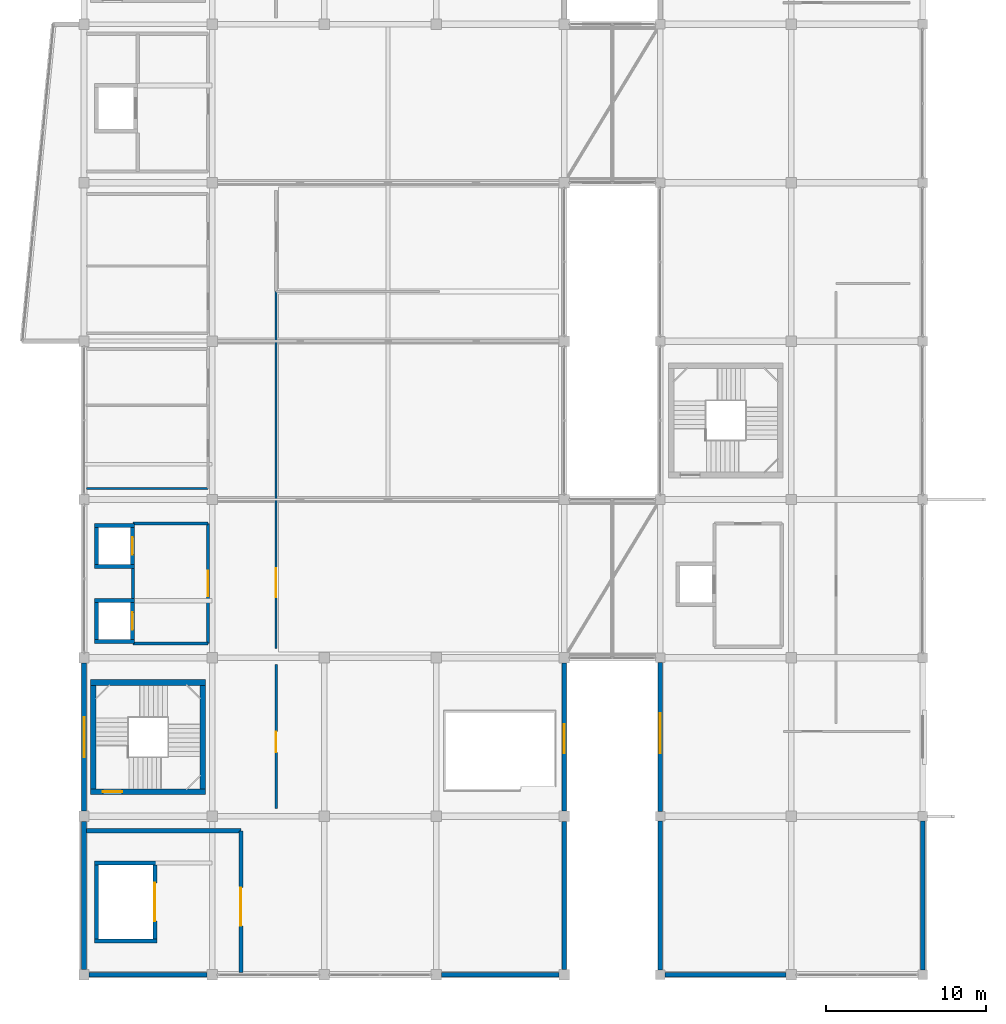
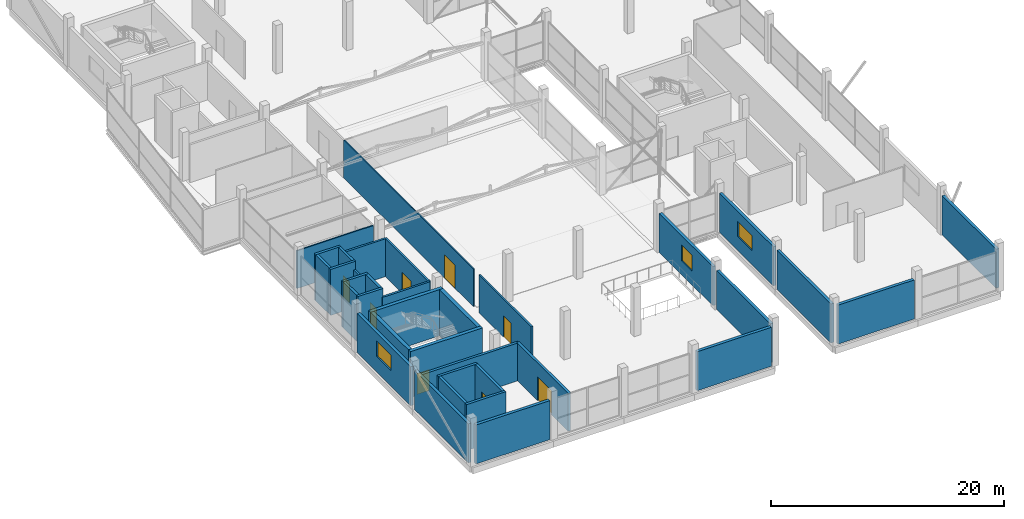
# One storey, part 47 of 58: 35 walls, 8 doors, 3 windows, 11 openings.
"""IFC4 building model written with IfcOpenShell, lengths in metres."""

from ifc_helpers import new_model, si_unit, direction, frame, frame_2d, origin, place, context, subcontext, project, spatial, rectangle, extrude, material, layer, layer_set, type_object, element, fill, save


model = new_model("IFC4")

# Units and contexts
model_context = context("Model", 3, precision=1e-05, world=origin(), true_north=direction((0.0, 1.0)))
body_context = subcontext(model_context, "Body", "Model", "MODEL_VIEW")
ifc_project = project(units=[si_unit("LENGTHUNIT", "METRE"), si_unit("AREAUNIT", "SQUARE_METRE"), si_unit("VOLUMEUNIT", "CUBIC_METRE"), si_unit("PLANEANGLEUNIT", "RADIAN"), si_unit("MASSUNIT", "GRAM", prefix="KILO")], contexts=[model_context])

# Site, building, storey
site_placement = place(None, origin())
site = spatial("IfcSite", under=ifc_project, at=site_placement, CompositionType="ELEMENT")
building_placement = place(site_placement, origin())
building = spatial("IfcBuilding", under=site, at=building_placement, Name="Sillaruma Civic Art Gallery", CompositionType="ELEMENT")
storey_placement = place(building_placement, frame((0.0, 0.0, 52.02001953125)))
storey = spatial("IfcBuildingStorey", under=building, at=storey_placement, Name="L10", CompositionType="ELEMENT", Elevation=52.02001953125)

# Wall, opening, door
ifc_material_1 = material(Name="Concrete H40 (40 MPa)", Category="concrete")
ifc_layer_1 = layer(ifc_material_1, 0.35009765625, Name="Concrete H40 (40 MPa)")
ifc_layer_set_1 = layer_set([ifc_layer_1], Name="Concrete H40 (40 MPa)")
wall_type_1 = type_object("IfcWallType", Name="WAL-CORE-350", PredefinedType="SHEAR", material=ifc_layer_set_1)
wall_1_placement = place(storey_placement, frame((62.409912109375, 31.235107421875, 0.0), z_axis=(0.0, 0.0, 1.0), x_axis=(1.0, 0.0, 0.0)))
wall_1 = element("IfcWall", 1, at=wall_1_placement, inside=storey, type_object=wall_type_1, Name="Stair Core Shear Wall W-CORE-350 (ST-03:L10:S)", PredefinedType="SHEAR", context=body_context, shape_type="SweptSolid", body=[
    extrude(rectangle(XDim=7.18017578125, YDim=0.35009765625, at=frame_2d((3.590087890625, 0.0))), origin(), (0.0, 0.0, 1.0), 4.85009765625),
])
opening_1_placement = place(wall_1_placement, frame((0.77001953125, 0.0, 0.0)))
opening_1 = element("IfcOpeningElement", 2, at=opening_1_placement, cuts=wall_1, Name="Opening D-STAIR", PredefinedType="OPENING", context=body_context, shape_type="SweptSolid", body=[
    extrude(rectangle(XDim=1.199951171875, YDim=2.199951171875, at=frame_2d((0.60009765625, 1.10009765625))), frame((0.0, 0.18505859375, 0.0), z_axis=(0.0, -1.0, 0.0), x_axis=(1.0, 0.0, 0.0)), (0.0, 0.0, 1.0), 0.3701171875),
])
ifc_material_2 = material(Name="Galvanised Steel ASTM A653 Gr.50", Category="steel")
door_type_1 = type_object("IfcDoorType", Name="DOR-STAIR-120", OperationType="NOTDEFINED", PredefinedType="DOOR", material=ifc_material_2)
door_1_placement = place(opening_1_placement, origin())
door_1 = element("IfcDoor", 3, at=door_1_placement, inside=storey, type_object=door_type_1, Name="Protected Stair Fire Door (ST-03:L10)", OperationType="SINGLE_SWING_RIGHT", OverallHeight=2.199951171875, OverallWidth=1.199951171875, PredefinedType="DOOR", context=body_context, shape_type="SweptSolid", body=[
    extrude(rectangle(XDim=1.199951171875, YDim=2.199951171875, at=frame_2d((0.60009765625, 1.10009765625))), frame((0.0, 0.02490234375, 0.0), z_axis=(0.0, -1.0, 0.0), x_axis=(1.0, 0.0, 0.0)), (0.0, 0.0, 1.0), 0.050048828125),
])
fill(opening_1, door_1)

# Walls
wall_2_placement = place(storey_placement, frame((62.409912109375, 38.06494140625, 0.0), z_axis=(0.0, 0.0, 1.0), x_axis=(1.0, 0.0, 0.0)))
element("IfcWall", 4, at=wall_2_placement, inside=storey, type_object=wall_type_1, Name="Stair Core Shear Wall W-CORE-350 (ST-03:L10:N)", PredefinedType="SHEAR", context=body_context, shape_type="SweptSolid", body=[
    extrude(rectangle(XDim=7.18017578125, YDim=0.35009765625, at=frame_2d((3.590087890625, 0.0))), origin(), (0.0, 0.0, 1.0), 4.85009765625),
])
for number, where, z_axis, x_axis, name in (
    (5, (62.5849609375, 31.409912109375, 0.0), (0.0, 0.0, 1.0), (0.0, 1.0, 0.0), "Stair Core Shear Wall W-CORE-350 (ST-03:L10:W)"),
    (6, (69.4150390625, 31.409912109375, 0.0), (0.0, 0.0, 1.0), (0.0, 1.0, 0.0), "Stair Core Shear Wall W-CORE-350 (ST-03:L10:E)"),
):
    element("IfcWall", number, at=place(storey_placement, frame(where, z_axis=z_axis, x_axis=x_axis)), inside=storey, type_object=wall_type_1, Name=name, PredefinedType="SHEAR", context=body_context, shape_type="SweptSolid", body=[
        extrude(rectangle(XDim=6.47998046875, YDim=0.35009765625, at=frame_2d((3.239990234375, 0.0))), origin(), (0.0, 0.0, 1.0), 4.85009765625),
    ])
ifc_material_3 = material(Name="Concrete H35 (35 MPa)", Category="concrete")
ifc_layer_2 = layer(ifc_material_3, 0.159912109375, Name="Concrete backup", Category="concrete")
ifc_material_4 = material(Name="Mineral Wool Thermal Insulation", Category="insulation")
ifc_layer_3 = layer(ifc_material_4, 0.090087890625, Name="Thermal insulation", Category="insulation")
ifc_material_5 = material(Name="Anodised Zinc-Aluminium Alloy", Category="aluminium")
ifc_layer_4 = layer(ifc_material_5, 0.030029296875, Name="Rainscreen finish", Category="aluminium")
ifc_layer_set_2 = layer_set([ifc_layer_2, ifc_layer_3, ifc_layer_4], Name="W-EXT-280")
wall_type_2 = type_object("IfcWallType", Name="WAL-EXT-280", PredefinedType="SOLIDWALL", material=ifc_layer_set_2)
wall_3_placement = place(storey_placement, frame((92.0, 20.125, 0.0), z_axis=(0.0, 0.0, 1.0), x_axis=(0.0, 1.0, 0.0)))
element("IfcWall", 7, at=wall_3_placement, inside=storey, type_object=wall_type_2, Name="Exterior Wall W-EXT-280 (EW-L10-WBE-1)", PredefinedType="SOLIDWALL", context=body_context, shape_type="SweptSolid", body=[
    extrude(rectangle(XDim=9.25, YDim=0.280029296875, at=frame_2d((4.625, 0.0))), origin(), (0.0, 0.0, 1.0), 4.10009765625),
])

# Wall, opening, window
wall_4_placement = place(storey_placement, frame((92.0, 30.02490234375, 0.0), z_axis=(0.0, 0.0, 1.0), x_axis=(0.0, 1.0, 0.0)))
wall_4 = element("IfcWall", 8, at=wall_4_placement, inside=storey, type_object=wall_type_2, Name="Exterior Wall W-EXT-280 (EW-L10-WBE-2)", PredefinedType="SOLIDWALL", context=body_context, shape_type="SweptSolid", body=[
    extrude(rectangle(XDim=9.25, YDim=0.280029296875, at=frame_2d((4.625, 0.0))), origin(), (0.0, 0.0, 1.0), 4.10009765625),
])
opening_2_placement = place(wall_4_placement, frame((3.625, 0.0, 1.449951171875)))
opening_2 = element("IfcOpeningElement", 9, at=opening_2_placement, cuts=wall_4, Name="Opening WN-04", PredefinedType="OPENING", context=body_context, shape_type="SweptSolid", body=[
    extrude(rectangle(XDim=1.800048828125, YDim=1.699951171875, at=frame_2d((0.89990234375, 0.85009765625))), frame((0.0, 0.14990234375, 0.0), z_axis=(0.0, -1.0, 0.0), x_axis=(1.0, 0.0, 0.0)), (0.0, 0.0, 1.0), 0.300048828125),
])
ifc_material_6 = material(Name="Thermally Broken Extruded Aluminium 6063-T6", Category="aluminium")
window_type_1 = type_object("IfcWindowType", Name="WIN-W04", PartitioningType="SINGLE_PANEL", PredefinedType="WINDOW", material=ifc_material_6)
window_1_placement = place(opening_2_placement, origin())
window_1 = element("IfcWindow", 10, at=window_1_placement, inside=storey, type_object=window_type_1, Name="Window WN-04 (EW-L10-WBE-2-1)", OverallHeight=1.699951171875, OverallWidth=1.800048828125, PartitioningType="SINGLE_PANEL", PredefinedType="WINDOW", context=body_context, shape_type="SweptSolid", body=[
    extrude(rectangle(XDim=1.800048828125, YDim=1.699951171875, at=frame_2d((0.89990234375, 0.85009765625))), frame((0.0, 0.030029296875, 0.0), z_axis=(0.0, -1.0, 0.0), x_axis=(1.0, 0.0, 0.0)), (0.0, 0.0, 1.0), 0.06005859375),
])
fill(opening_2, window_1)

# Wall
wall_5_placement = place(storey_placement, frame((98.0, 20.10009765625, 0.0), z_axis=(0.0, 0.0, 1.0), x_axis=(0.0, 1.0, 0.0)))
element("IfcWall", 11, at=wall_5_placement, inside=storey, type_object=wall_type_2, Name="Exterior Wall W-EXT-280 (EW-L10-EBW-1)", PredefinedType="SOLIDWALL", context=body_context, shape_type="SweptSolid", body=[
    extrude(rectangle(XDim=9.2998046875, YDim=0.280029296875, at=frame_2d((4.64990234375, 0.0))), origin(), (0.0, 0.0, 1.0), 4.10009765625),
])

# Wall, opening, window
wall_6_placement = place(storey_placement, frame((98.0, 30.0, 0.0), z_axis=(0.0, 0.0, 1.0), x_axis=(0.0, 1.0, 0.0)))
wall_6 = element("IfcWall", 12, at=wall_6_placement, inside=storey, type_object=wall_type_2, Name="Exterior Wall W-EXT-280 (EW-L10-EBW-2)", PredefinedType="SOLIDWALL", context=body_context, shape_type="SweptSolid", body=[
    extrude(rectangle(XDim=9.300048828125, YDim=0.280029296875, at=frame_2d((4.64990234375, 0.0))), origin(), (0.0, 0.0, 1.0), 4.10009765625),
])
opening_3_placement = place(wall_6_placement, frame((3.64990234375, 0.0, 1.449951171875)))
opening_3 = element("IfcOpeningElement", 13, at=opening_3_placement, cuts=wall_6, Name="Opening WN-11", PredefinedType="OPENING", context=body_context, shape_type="SweptSolid", body=[
    extrude(rectangle(XDim=2.5, YDim=1.60009765625, at=frame_2d((1.25, 0.800048828125))), frame((0.0, 0.14990234375, 0.0), z_axis=(0.0, -1.0, 0.0), x_axis=(1.0, 0.0, 0.0)), (0.0, 0.0, 1.0), 0.300048828125),
])
window_type_2 = type_object("IfcWindowType", Name="WIN-W11", PartitioningType="SINGLE_PANEL", PredefinedType="WINDOW", material=ifc_material_6)
window_2_placement = place(opening_3_placement, origin())
window_2 = element("IfcWindow", 14, at=window_2_placement, inside=storey, type_object=window_type_2, Name="Window WN-11 (EW-L10-EBW-2-1)", OverallHeight=1.60009765625, OverallWidth=2.5, PartitioningType="SINGLE_PANEL", PredefinedType="WINDOW", context=body_context, shape_type="SweptSolid", body=[
    extrude(rectangle(XDim=2.5, YDim=1.60009765625, at=frame_2d((1.25, 0.800048828125))), frame((0.0, 0.030029296875, 0.0), z_axis=(0.0, -1.0, 0.0), x_axis=(1.0, 0.0, 0.0)), (0.0, 0.0, 1.0), 0.06005859375),
])
fill(opening_3, window_2)

# Walls
ifc_layer_5 = layer(ifc_material_3, 0.169921875, Name="Concrete backup", Category="concrete")
ifc_layer_6 = layer(ifc_material_4, 0.090087890625, Name="Thermal insulation", Category="insulation")
ifc_layer_7 = layer(ifc_material_5, 0.030029296875, Name="Rainscreen finish", Category="aluminium")
ifc_layer_set_3 = layer_set([ifc_layer_5, ifc_layer_6, ifc_layer_7], Name="W-EXT-290")
wall_type_3 = type_object("IfcWallType", Name="WAL-EXT-290", PredefinedType="SOLIDWALL", material=ifc_layer_set_3)
wall_7_placement = place(storey_placement, frame((62.0, 20.125, 0.0), z_axis=(0.0, 0.0, 1.0), x_axis=(0.0, 1.0, 0.0)))
element("IfcWall", 15, at=wall_7_placement, inside=storey, type_object=wall_type_3, Name="Exterior Wall W-EXT-290 (EW-L10-WBW-1)", PredefinedType="SOLIDWALL", context=body_context, shape_type="SweptSolid", body=[
    extrude(rectangle(XDim=9.25, YDim=0.2900390625, at=frame_2d((4.625, 0.0))), origin(), (0.0, 0.0, 1.0), 4.10009765625),
])
wall_8_placement = place(storey_placement, frame((114.39990234375, 20.10009765625, 0.0), z_axis=(0.0, 0.0, 1.0), x_axis=(0.0, 1.0, 0.0)))
element("IfcWall", 16, at=wall_8_placement, inside=storey, type_object=wall_type_3, Name="Exterior Wall W-EXT-290 (EW-L10-EBE-1)", PredefinedType="SOLIDWALL", context=body_context, shape_type="SweptSolid", body=[
    extrude(rectangle(XDim=9.2998046875, YDim=0.2900390625, at=frame_2d((4.64990234375, 0.0))), origin(), (0.0, 0.0, 1.0), 4.10009765625),
])

# Wall, opening, window
ifc_material_7 = material(Name="Precast Concrete H35 (35 MPa)", Category="concrete")
ifc_layer_8 = layer(ifc_material_7, 0.179931640625, Name="Precast backup", Category="concrete")
ifc_layer_9 = layer(ifc_material_4, 0.090087890625, Name="Thermal insulation", Category="insulation")
ifc_material_8 = material(Name="Comanche Granitic Ashlar Stone", Category="masonry")
ifc_layer_10 = layer(ifc_material_8, 0.030029296875, Name="Rainscreen cladding", Category="masonry")
ifc_layer_set_4 = layer_set([ifc_layer_8, ifc_layer_9, ifc_layer_10], Name="W-EXT-300")
wall_type_4 = type_object("IfcWallType", Name="WAL-EXT-300", PredefinedType="SOLIDWALL", material=ifc_layer_set_4)
wall_9_placement = place(storey_placement, frame((62.0, 30.02490234375, 0.0), z_axis=(0.0, 0.0, 1.0), x_axis=(0.0, 1.0, 0.0)))
wall_9 = element("IfcWall", 17, at=wall_9_placement, inside=storey, type_object=wall_type_4, Name="Exterior Wall W-EXT-300 (EW-L10-WBW-2)", PredefinedType="SOLIDWALL", context=body_context, shape_type="SweptSolid", body=[
    extrude(rectangle(XDim=9.25, YDim=0.300048828125, at=frame_2d((4.625, 0.0))), origin(), (0.0, 0.0, 1.0), 4.10009765625),
])
opening_4_placement = place(wall_9_placement, frame((3.375, 0.0, 1.64990234375)))
opening_4 = element("IfcOpeningElement", 18, at=opening_4_placement, cuts=wall_9, Name="Opening WN-11", PredefinedType="OPENING", context=body_context, shape_type="SweptSolid", body=[
    extrude(rectangle(XDim=2.5, YDim=1.60009765625, at=frame_2d((1.25, 0.800048828125))), frame((0.0, 0.159912109375, 0.0), z_axis=(0.0, -1.0, 0.0), x_axis=(1.0, 0.0, 0.0)), (0.0, 0.0, 1.0), 0.320068359375),
])
window_3_placement = place(opening_4_placement, origin())
window_3 = element("IfcWindow", 19, at=window_3_placement, inside=storey, type_object=window_type_2, Name="Window WN-11 (EW-L10-WBW-2-1)", OverallHeight=1.60009765625, OverallWidth=2.5, PartitioningType="SINGLE_PANEL", PredefinedType="WINDOW", context=body_context, shape_type="SweptSolid", body=[
    extrude(rectangle(XDim=2.5, YDim=1.60009765625, at=frame_2d((1.25, 0.800048828125))), frame((0.0, 0.030029296875, 0.0), z_axis=(0.0, -1.0, 0.0), x_axis=(1.0, 0.0, 0.0)), (0.0, 0.0, 1.0), 0.06005859375),
])
fill(opening_4, window_3)

# Walls
for number, where, z_axis, x_axis, name in (
    (20, (62.324951171875, 19.800048828125, 0.0), (0.0, 0.0, 1.0), (1.0, 0.0, 0.0), "Exterior Wall W-EXT-300 (EW-L10-WBS-1)"),
    (21, (84.324951171875, 19.800048828125, 0.0), (0.0, 0.0, 1.0), (1.0, 0.0, 0.0), "Exterior Wall W-EXT-300 (EW-L10-WBS-4)"),
):
    element("IfcWall", number, at=place(storey_placement, frame(where, z_axis=z_axis, x_axis=x_axis)), inside=storey, type_object=wall_type_4, Name=name, PredefinedType="SOLIDWALL", context=body_context, shape_type="SweptSolid", body=[
        extrude(rectangle(XDim=7.35009765625, YDim=0.300048828125, at=frame_2d((3.675048828125, 0.0))), origin(), (0.0, 0.0, 1.0), 4.10009765625),
    ])
wall_10_placement = place(storey_placement, frame((98.300048828125, 19.800048828125, 0.0), z_axis=(0.0, 0.0, 1.0), x_axis=(1.0, 0.0, 0.0)))
element("IfcWall", 22, at=wall_10_placement, inside=storey, type_object=wall_type_4, Name="Exterior Wall W-EXT-300 (EW-L10-EBS-1)", PredefinedType="SOLIDWALL", context=body_context, shape_type="SweptSolid", body=[
    extrude(rectangle(XDim=7.574951171875, YDim=0.300048828125, at=frame_2d((3.78759765625, 0.0))), origin(), (0.0, 0.0, 1.0), 4.10009765625),
])
ifc_material_9 = material(Name="Concrete Masonry Unit Grade M15", Category="masonry")
ifc_layer_11 = layer(ifc_material_9, 0.199951171875, Name="Concrete Masonry Unit Grade M15")
ifc_layer_set_5 = layer_set([ifc_layer_11], Name="Concrete Masonry Unit Grade M15")
wall_type_5 = type_object("IfcWallType", Name="WAL-LOBBY-200", PredefinedType="SOLIDWALL", material=ifc_layer_set_5)
for number, where, z_axis, x_axis, name in (
    (23, (65.050048828125, 40.5, 0.0), (0.0, 0.0, 1.0), (1.0, 0.0, 0.0), "Interior Wall W-LOBBY-200 (L10-LLW)"),
    (24, (65.050048828125, 48.0, 0.0), (0.0, 0.0, 1.0), (1.0, 0.0, 0.0), "Interior Wall W-LOBBY-200 (L10-LLW)"),
):
    element("IfcWall", number, at=place(storey_placement, frame(where, z_axis=z_axis, x_axis=x_axis)), inside=storey, type_object=wall_type_5, Name=name, PredefinedType="SOLIDWALL", context=body_context, shape_type="SweptSolid", body=[
        extrude(rectangle(XDim=4.699951171875, YDim=0.199951171875, at=frame_2d((2.35009765625, 0.0))), origin(), (0.0, 0.0, 1.0), 3.969970703125),
    ])
wall_11_placement = place(storey_placement, frame((65.050048828125, 43.300048828125, 0.0), z_axis=(0.0, 0.0, 1.0), x_axis=(0.0, 1.0, 0.0)))
element("IfcWall", 25, at=wall_11_placement, inside=storey, type_object=wall_type_5, Name="Interior Wall W-LOBBY-200 (L10-LLW)", PredefinedType="SOLIDWALL", context=body_context, shape_type="SweptSolid", body=[
    extrude(rectangle(XDim=1.89990234375, YDim=0.199951171875, at=frame_2d((0.949951171875, 0.0))), origin(), (0.0, 0.0, 1.0), 3.969970703125),
])

# Wall, opening, door
wall_12_placement = place(storey_placement, frame((69.75, 40.5, 0.0), z_axis=(0.0, 0.0, 1.0), x_axis=(0.0, 1.0, 0.0)))
wall_12 = element("IfcWall", 26, at=wall_12_placement, inside=storey, type_object=wall_type_5, Name="Interior Wall W-LOBBY-200 (L10-LLW)", PredefinedType="SOLIDWALL", context=body_context, shape_type="SweptSolid", body=[
    extrude(rectangle(XDim=7.5, YDim=0.199951171875, at=frame_2d((3.75, 0.0))), origin(), (0.0, 0.0, 1.0), 3.969970703125),
])
opening_5_placement = place(wall_12_placement, frame((2.949951171875, 0.0, 0.0)))
opening_5 = element("IfcOpeningElement", 27, at=opening_5_placement, cuts=wall_12, Name="Opening D-LOBBY", PredefinedType="OPENING", context=body_context, shape_type="SweptSolid", body=[
    extrude(rectangle(XDim=1.60009765625, YDim=2.199951171875, at=frame_2d((0.800048828125, 1.10009765625))), frame((0.0, 0.10986328125, 0.0), z_axis=(0.0, -1.0, 0.0), x_axis=(1.0, 0.0, 0.0)), (0.0, 0.0, 1.0), 0.219970703125),
])
door_type_2 = type_object("IfcDoorType", Name="DOR-LOBBY-160", OperationType="NOTDEFINED", PredefinedType="DOOR", material=ifc_material_6)
door_2_placement = place(opening_5_placement, origin())
door_2 = element("IfcDoor", 28, at=door_2_placement, inside=storey, type_object=door_type_2, Name="West Lift Lobby Door (D-LOBBY)", OperationType="DOUBLE_DOOR_SINGLE_SWING", OverallHeight=2.199951171875, OverallWidth=1.60009765625, PredefinedType="DOOR", context=body_context, shape_type="SweptSolid", body=[
    extrude(rectangle(XDim=1.60009765625, YDim=2.199951171875, at=frame_2d((0.800048828125, 1.10009765625))), frame((0.0, 0.02490234375, 0.0), z_axis=(0.0, -1.0, 0.0), x_axis=(1.0, 0.0, 0.0)), (0.0, 0.0, 1.0), 0.050048828125),
])
fill(opening_5, door_2)

ifc_material_10 = material(Name="Gypsum Acoustic Board", Category="gypsum")
ifc_layer_12 = layer(ifc_material_10, 0.02490234375, Name="Finish board", Category="gypsum")
ifc_layer_13 = layer(ifc_material_4, 0.06005859375, Name="Acoustic core", Category="insulation")
ifc_material_11 = material(Name="Andean Oak Timber", Category="wood")
ifc_layer_14 = layer(ifc_material_11, 0.02490234375, Name="Gallery lining", Category="wood")
ifc_layer_set_6 = layer_set([ifc_layer_12, ifc_layer_13, ifc_layer_14], Name="W-PT-110")
wall_type_6 = type_object("IfcWallType", Name="WAL-PART-110", PredefinedType="PARTITIONING", material=ifc_layer_set_6)
wall_13_placement = place(storey_placement, frame((74.0, 40.199951171875, 0.0), z_axis=(0.0, 0.0, 1.0), x_axis=(0.0, 1.0, 0.0)))
wall_13 = element("IfcWall", 29, at=wall_13_placement, inside=storey, type_object=wall_type_6, Name="Interior Wall W-PT-110 (L10-GALW1)", PredefinedType="PARTITIONING", context=body_context, shape_type="SweptSolid", body=[
    extrude(rectangle(XDim=22.300048828125, YDim=0.110107421875, at=frame_2d((11.14990234375, 0.0))), origin(), (0.0, 0.0, 1.0), 3.969970703125),
])
opening_6_placement = place(wall_13_placement, frame((3.199951171875, 0.0, 0.0)))
opening_6 = element("IfcOpeningElement", 30, at=opening_6_placement, cuts=wall_13, Name="Opening D-GAL18", PredefinedType="OPENING", context=body_context, shape_type="SweptSolid", body=[
    extrude(rectangle(XDim=1.800048828125, YDim=2.449951171875, at=frame_2d((0.89990234375, 1.22509765625))), frame((0.0, 0.06494140625, 0.0), z_axis=(0.0, -1.0, 0.0), x_axis=(1.0, 0.0, 0.0)), (0.0, 0.0, 1.0), 0.130126953125),
])
door_type_3 = type_object("IfcDoorType", Name="DOR-GAL-180", OperationType="NOTDEFINED", PredefinedType="DOOR", material=ifc_material_11)
door_3_placement = place(opening_6_placement, origin())
door_3 = element("IfcDoor", 31, at=door_3_placement, inside=storey, type_object=door_type_3, Name="Paired Wing South Gallery (L10) Door (D-GAL18)", OperationType="DOUBLE_DOOR_SINGLE_SWING", OverallHeight=2.449951171875, OverallWidth=1.800048828125, PredefinedType="DOOR", context=body_context, shape_type="SweptSolid", body=[
    extrude(rectangle(XDim=1.800048828125, YDim=2.449951171875, at=frame_2d((0.89990234375, 1.22509765625))), frame((0.0, 0.02490234375, 0.0), z_axis=(0.0, -1.0, 0.0), x_axis=(1.0, 0.0, 0.0)), (0.0, 0.0, 1.0), 0.050048828125),
])
fill(opening_6, door_3)

# Wall
ifc_layer_15 = layer(ifc_material_10, 0.02490234375, Name="Finish board", Category="gypsum")
ifc_layer_16 = layer(ifc_material_4, 0.080078125, Name="Acoustic core", Category="insulation")
ifc_layer_17 = layer(ifc_material_11, 0.02490234375, Name="Gallery lining", Category="wood")
ifc_layer_set_7 = layer_set([ifc_layer_15, ifc_layer_16, ifc_layer_17], Name="W-PT-130")
wall_type_7 = type_object("IfcWallType", Name="WAL-PART-130", PredefinedType="PARTITIONING", material=ifc_layer_set_7)
wall_14_placement = place(storey_placement, frame((62.14990234375, 50.199951171875, 0.0), z_axis=(0.0, 0.0, 1.0), x_axis=(1.0, 0.0, 0.0)))
element("IfcWall", 32, at=wall_14_placement, inside=storey, type_object=wall_type_7, Name="Interior Wall W-PT-130 (L10-WC1)", PredefinedType="PARTITIONING", context=body_context, shape_type="SweptSolid", body=[
    extrude(rectangle(XDim=7.60009765625, YDim=0.1298828125, at=frame_2d((3.800048828125, 0.0))), origin(), (0.0, 0.0, 1.0), 3.969970703125),
])

# Wall, opening, door
ifc_layer_18 = layer(ifc_material_10, 0.02490234375, Name="Finish board", Category="gypsum")
ifc_layer_19 = layer(ifc_material_4, 0.114990234375, Name="Acoustic core", Category="insulation")
ifc_layer_20 = layer(ifc_material_11, 0.02490234375, Name="Gallery lining", Category="wood")
ifc_layer_set_8 = layer_set([ifc_layer_18, ifc_layer_19, ifc_layer_20], Name="W-PT-165")
wall_type_8 = type_object("IfcWallType", Name="WAL-PART-165", PredefinedType="PARTITIONING", material=ifc_layer_set_8)
wall_15_placement = place(storey_placement, frame((74.0, 30.199951171875, 0.0), z_axis=(0.0, 0.0, 1.0), x_axis=(0.0, 1.0, 0.0)))
wall_15 = element("IfcWall", 33, at=wall_15_placement, inside=storey, type_object=wall_type_8, Name="Interior Wall W-PT-165 (L10-STDW0)", PredefinedType="PARTITIONING", context=body_context, shape_type="SweptSolid", body=[
    extrude(rectangle(XDim=9.0, YDim=0.1650390625, at=frame_2d((4.5, 0.0))), origin(), (0.0, 0.0, 1.0), 3.969970703125),
])
opening_7_placement = place(wall_15_placement, frame((3.5, 0.0, 0.0)))
opening_7 = element("IfcOpeningElement", 34, at=opening_7_placement, cuts=wall_15, Name="Opening D-STD13", PredefinedType="OPENING", context=body_context, shape_type="SweptSolid", body=[
    extrude(rectangle(XDim=1.300048828125, YDim=2.25, at=frame_2d((0.64990234375, 1.125))), frame((0.0, 0.092529296875, 0.0), z_axis=(0.0, -1.0, 0.0), x_axis=(1.0, 0.0, 0.0)), (0.0, 0.0, 1.0), 0.18505859375),
])
door_type_4 = type_object("IfcDoorType", Name="DOR-STD-130", OperationType="NOTDEFINED", PredefinedType="DOOR", material=ifc_material_11)
door_4_placement = place(opening_7_placement, origin())
door_4 = element("IfcDoor", 35, at=door_4_placement, inside=storey, type_object=door_type_4, Name="West Wing South Artist Studio (L10) Door (D-STD13)", OperationType="SINGLE_SWING_LEFT", OverallHeight=2.25, OverallWidth=1.300048828125, PredefinedType="DOOR", context=body_context, shape_type="SweptSolid", body=[
    extrude(rectangle(XDim=1.300048828125, YDim=2.25, at=frame_2d((0.64990234375, 1.125))), frame((0.0, 0.02490234375, 0.0), z_axis=(0.0, -1.0, 0.0), x_axis=(1.0, 0.0, 0.0)), (0.0, 0.0, 1.0), 0.050048828125),
])
fill(opening_7, door_4)

# Walls
ifc_layer_21 = layer(ifc_material_1, 0.25, Name="Concrete H40 (40 MPa)")
ifc_layer_set_9 = layer_set([ifc_layer_21], Name="Concrete H40 (40 MPa)")
wall_type_9 = type_object("IfcWallType", Name="WAL-SHAFT-250", PredefinedType="SOLIDWALL", material=ifc_layer_set_9)
for number, where, z_axis, x_axis, name in (
    (36, (62.64990234375, 40.625, 0.0), (0.0, 0.0, 1.0), (1.0, 0.0, 0.0), "Lift Shaft Wall W-SHAFT-250 (PL-01:L10:S)"),
    (37, (62.64990234375, 43.175048828125, 0.0), (0.0, 0.0, 1.0), (1.0, 0.0, 0.0), "Lift Shaft Wall W-SHAFT-250 (PL-01:L10:N)"),
):
    element("IfcWall", number, at=place(storey_placement, frame(where, z_axis=z_axis, x_axis=x_axis)), inside=storey, type_object=wall_type_9, Name=name, PredefinedType="SOLIDWALL", context=body_context, shape_type="SweptSolid", body=[
        extrude(rectangle(XDim=2.5, YDim=0.25, at=frame_2d((1.25, 0.0))), origin(), (0.0, 0.0, 1.0), 4.830078125),
    ])
wall_16_placement = place(storey_placement, frame((62.77490234375, 40.75, 0.0), z_axis=(0.0, 0.0, 1.0), x_axis=(0.0, 1.0, 0.0)))
element("IfcWall", 38, at=wall_16_placement, inside=storey, type_object=wall_type_9, Name="Lift Shaft Wall W-SHAFT-250 (PL-01:L10:W)", PredefinedType="SOLIDWALL", context=body_context, shape_type="SweptSolid", body=[
    extrude(rectangle(XDim=2.300048828125, YDim=0.25, at=frame_2d((1.14990234375, 0.0))), origin(), (0.0, 0.0, 1.0), 4.830078125),
])

# Wall, opening, door
wall_17_placement = place(storey_placement, frame((65.02490234375, 40.75, 0.0), z_axis=(0.0, 0.0, 1.0), x_axis=(0.0, 1.0, 0.0)))
wall_17 = element("IfcWall", 39, at=wall_17_placement, inside=storey, type_object=wall_type_9, Name="Lift Shaft Wall W-SHAFT-250 (PL-01:L10:E)", PredefinedType="SOLIDWALL", context=body_context, shape_type="SweptSolid", body=[
    extrude(rectangle(XDim=2.300048828125, YDim=0.25, at=frame_2d((1.14990234375, 0.0))), origin(), (0.0, 0.0, 1.0), 4.830078125),
])
opening_8_placement = place(wall_17_placement, frame((0.60009765625, 0.0, 0.0)))
opening_8 = element("IfcOpeningElement", 40, at=opening_8_placement, cuts=wall_17, Name="Opening LD-01", PredefinedType="OPENING", context=body_context, shape_type="SweptSolid", body=[
    extrude(rectangle(XDim=1.10009765625, YDim=2.199951171875, at=frame_2d((0.550048828125, 1.10009765625))), frame((0.0, 0.135009765625, 0.0), z_axis=(0.0, -1.0, 0.0), x_axis=(1.0, 0.0, 0.0)), (0.0, 0.0, 1.0), 0.27001953125),
])
door_type_5 = type_object("IfcDoorType", Name="DOR-LD-01", OperationType="NOTDEFINED", PredefinedType="DOOR", material=ifc_material_2)
door_5_placement = place(opening_8_placement, origin())
door_5 = element("IfcDoor", 41, at=door_5_placement, inside=storey, type_object=door_type_5, Name="Lift Sliding Landing Door LD-01 (PL-01:L10)", OperationType="DOUBLE_DOOR_SLIDING", OverallHeight=2.199951171875, OverallWidth=1.10009765625, PredefinedType="DOOR", context=body_context, shape_type="SweptSolid", body=[
    extrude(rectangle(XDim=1.10009765625, YDim=2.199951171875, at=frame_2d((0.550048828125, 1.10009765625))), frame((0.0, 0.02490234375, 0.0), z_axis=(0.0, -1.0, 0.0), x_axis=(1.0, 0.0, 0.0)), (0.0, 0.0, 1.0), 0.050048828125),
])
fill(opening_8, door_5)

# Walls
for number, where, z_axis, x_axis, name in (
    (42, (62.64990234375, 45.324951171875, 0.0), (0.0, 0.0, 1.0), (1.0, 0.0, 0.0), "Lift Shaft Wall W-SHAFT-250 (PL-02:L10:S)"),
    (43, (62.64990234375, 47.875, 0.0), (0.0, 0.0, 1.0), (1.0, 0.0, 0.0), "Lift Shaft Wall W-SHAFT-250 (PL-02:L10:N)"),
):
    element("IfcWall", number, at=place(storey_placement, frame(where, z_axis=z_axis, x_axis=x_axis)), inside=storey, type_object=wall_type_9, Name=name, PredefinedType="SOLIDWALL", context=body_context, shape_type="SweptSolid", body=[
        extrude(rectangle(XDim=2.5, YDim=0.25, at=frame_2d((1.25, 0.0))), origin(), (0.0, 0.0, 1.0), 4.830078125),
    ])
wall_18_placement = place(storey_placement, frame((62.77490234375, 45.449951171875, 0.0), z_axis=(0.0, 0.0, 1.0), x_axis=(0.0, 1.0, 0.0)))
element("IfcWall", 44, at=wall_18_placement, inside=storey, type_object=wall_type_9, Name="Lift Shaft Wall W-SHAFT-250 (PL-02:L10:W)", PredefinedType="SOLIDWALL", context=body_context, shape_type="SweptSolid", body=[
    extrude(rectangle(XDim=2.300048828125, YDim=0.25, at=frame_2d((1.14990234375, 0.0))), origin(), (0.0, 0.0, 1.0), 4.830078125),
])

# Wall, opening, door
wall_19_placement = place(storey_placement, frame((65.02490234375, 45.449951171875, 0.0), z_axis=(0.0, 0.0, 1.0), x_axis=(0.0, 1.0, 0.0)))
wall_19 = element("IfcWall", 45, at=wall_19_placement, inside=storey, type_object=wall_type_9, Name="Lift Shaft Wall W-SHAFT-250 (PL-02:L10:E)", PredefinedType="SOLIDWALL", context=body_context, shape_type="SweptSolid", body=[
    extrude(rectangle(XDim=2.300048828125, YDim=0.25, at=frame_2d((1.14990234375, 0.0))), origin(), (0.0, 0.0, 1.0), 4.830078125),
])
opening_9_placement = place(wall_19_placement, frame((0.60009765625, 0.0, 0.0)))
opening_9 = element("IfcOpeningElement", 46, at=opening_9_placement, cuts=wall_19, Name="Opening LD-01", PredefinedType="OPENING", context=body_context, shape_type="SweptSolid", body=[
    extrude(rectangle(XDim=1.10009765625, YDim=2.199951171875, at=frame_2d((0.550048828125, 1.10009765625))), frame((0.0, 0.135009765625, 0.0), z_axis=(0.0, -1.0, 0.0), x_axis=(1.0, 0.0, 0.0)), (0.0, 0.0, 1.0), 0.27001953125),
])
door_6_placement = place(opening_9_placement, origin())
door_6 = element("IfcDoor", 47, at=door_6_placement, inside=storey, type_object=door_type_5, Name="Lift Sliding Landing Door LD-01 (PL-02:L10)", OperationType="DOUBLE_DOOR_SLIDING", OverallHeight=2.199951171875, OverallWidth=1.10009765625, PredefinedType="DOOR", context=body_context, shape_type="SweptSolid", body=[
    extrude(rectangle(XDim=1.10009765625, YDim=2.199951171875, at=frame_2d((0.550048828125, 1.10009765625))), frame((0.0, 0.02490234375, 0.0), z_axis=(0.0, -1.0, 0.0), x_axis=(1.0, 0.0, 0.0)), (0.0, 0.0, 1.0), 0.050048828125),
])
fill(opening_9, door_6)

# Walls
for number, where, z_axis, x_axis, name in (
    (48, (62.64990234375, 21.925048828125, 0.0), (0.0, 0.0, 1.0), (1.0, 0.0, 0.0), "Lift Shaft Wall W-SHAFT-250 (GL-01:L10:S)"),
    (49, (62.64990234375, 26.77490234375, 0.0), (0.0, 0.0, 1.0), (1.0, 0.0, 0.0), "Lift Shaft Wall W-SHAFT-250 (GL-01:L10:N)"),
):
    element("IfcWall", number, at=place(storey_placement, frame(where, z_axis=z_axis, x_axis=x_axis)), inside=storey, type_object=wall_type_9, Name=name, PredefinedType="SOLIDWALL", context=body_context, shape_type="SweptSolid", body=[
        extrude(rectangle(XDim=3.900146484375, YDim=0.25, at=frame_2d((1.9501953125, 0.0))), origin(), (0.0, 0.0, 1.0), 4.830078125),
    ])
wall_20_placement = place(storey_placement, frame((62.77490234375, 22.050048828125, 0.0), z_axis=(0.0, 0.0, 1.0), x_axis=(0.0, 1.0, 0.0)))
element("IfcWall", 50, at=wall_20_placement, inside=storey, type_object=wall_type_9, Name="Lift Shaft Wall W-SHAFT-250 (GL-01:L10:W)", PredefinedType="SOLIDWALL", context=body_context, shape_type="SweptSolid", body=[
    extrude(rectangle(XDim=4.599853515625, YDim=0.25, at=frame_2d((2.2998046875, 0.0))), origin(), (0.0, 0.0, 1.0), 4.830078125),
])

# Wall, opening, door
wall_21_placement = place(storey_placement, frame((66.425048828125, 22.050048828125, 0.0), z_axis=(0.0, 0.0, 1.0), x_axis=(0.0, 1.0, 0.0)))
wall_21 = element("IfcWall", 51, at=wall_21_placement, inside=storey, type_object=wall_type_9, Name="Lift Shaft Wall W-SHAFT-250 (GL-01:L10:E)", PredefinedType="SOLIDWALL", context=body_context, shape_type="SweptSolid", body=[
    extrude(rectangle(XDim=4.599853515625, YDim=0.25, at=frame_2d((2.2998046875, 0.0))), origin(), (0.0, 0.0, 1.0), 4.830078125),
])
opening_10_placement = place(wall_21_placement, frame((1.10009765625, 0.0, 0.0)))
opening_10 = element("IfcOpeningElement", 52, at=opening_10_placement, cuts=wall_21, Name="Opening LD-03", PredefinedType="OPENING", context=body_context, shape_type="SweptSolid", body=[
    extrude(rectangle(XDim=2.39990234375, YDim=2.64990234375, at=frame_2d((1.199951171875, 1.324951171875))), frame((0.0, 0.135009765625, 0.0), z_axis=(0.0, -1.0, 0.0), x_axis=(1.0, 0.0, 0.0)), (0.0, 0.0, 1.0), 0.27001953125),
])
door_type_6 = type_object("IfcDoorType", Name="DOR-LD-03", OperationType="NOTDEFINED", PredefinedType="DOOR", material=ifc_material_2)
door_7_placement = place(opening_10_placement, origin())
door_7 = element("IfcDoor", 53, at=door_7_placement, inside=storey, type_object=door_type_6, Name="Lift Sliding Landing Door LD-03 (GL-01:L10)", OperationType="DOUBLE_DOOR_SLIDING", OverallHeight=2.64990234375, OverallWidth=2.39990234375, PredefinedType="DOOR", context=body_context, shape_type="SweptSolid", body=[
    extrude(rectangle(XDim=2.39990234375, YDim=2.64990234375, at=frame_2d((1.199951171875, 1.324951171875))), frame((0.0, 0.02490234375, 0.0), z_axis=(0.0, -1.0, 0.0), x_axis=(1.0, 0.0, 0.0)), (0.0, 0.0, 1.0), 0.050048828125),
])
fill(opening_10, door_7)

# Wall
ifc_layer_22 = layer(ifc_material_9, 0.2548828125, Name="Concrete Masonry Unit Grade M15")
ifc_layer_set_10 = layer_set([ifc_layer_22], Name="Concrete Masonry Unit Grade M15")
wall_type_10 = type_object("IfcWallType", Name="WAL-STORE-250", PredefinedType="SOLIDWALL", material=ifc_layer_set_10)
wall_22_placement = place(storey_placement, frame((62.14990234375, 28.800048828125, 0.0), z_axis=(0.0, 0.0, 1.0), x_axis=(1.0, 0.0, 0.0)))
element("IfcWall", 54, at=wall_22_placement, inside=storey, type_object=wall_type_10, Name="Interior Wall W-STORE-250 (L10-AIR)", PredefinedType="SOLIDWALL", context=body_context, shape_type="SweptSolid", body=[
    extrude(rectangle(XDim=9.650146484375, YDim=0.2548828125, at=frame_2d((4.8251953125, 0.0))), origin(), (0.0, 0.0, 1.0), 3.969970703125),
])

# Wall, opening, door
wall_23_placement = place(storey_placement, frame((71.800048828125, 19.949951171875, 0.0), z_axis=(0.0, 0.0, 1.0), x_axis=(0.0, 1.0, 0.0)))
wall_23 = element("IfcWall", 55, at=wall_23_placement, inside=storey, type_object=wall_type_10, Name="Interior Wall W-STORE-250 (L10-AIR)", PredefinedType="SOLIDWALL", context=body_context, shape_type="SweptSolid", body=[
    extrude(rectangle(XDim=8.85009765625, YDim=0.2548828125, at=frame_2d((4.425048828125, 0.0))), origin(), (0.0, 0.0, 1.0), 3.969970703125),
])
opening_11_placement = place(wall_23_placement, frame((2.89990234375, 0.0, 0.0)))
opening_11 = element("IfcOpeningElement", 56, at=opening_11_placement, cuts=wall_23, Name="Opening D-STR24", PredefinedType="OPENING", context=body_context, shape_type="SweptSolid", body=[
    extrude(rectangle(XDim=2.39990234375, YDim=2.5, at=frame_2d((1.199951171875, 1.25))), frame((0.0, 0.137451171875, 0.0), z_axis=(0.0, -1.0, 0.0), x_axis=(1.0, 0.0, 0.0)), (0.0, 0.0, 1.0), 0.27490234375),
])
door_type_7 = type_object("IfcDoorType", Name="DOR-STORE-240", OperationType="NOTDEFINED", PredefinedType="DOOR", material=ifc_material_2)
door_8_placement = place(opening_11_placement, origin())
door_8 = element("IfcDoor", 57, at=door_8_placement, inside=storey, type_object=door_type_7, Name="Crate Airlock Door (D-STR24)", OperationType="DOUBLE_DOOR_SINGLE_SWING", OverallHeight=2.5, OverallWidth=2.39990234375, PredefinedType="DOOR", context=body_context, shape_type="SweptSolid", body=[
    extrude(rectangle(XDim=2.39990234375, YDim=2.5, at=frame_2d((1.199951171875, 1.25))), frame((0.0, 0.02490234375, 0.0), z_axis=(0.0, -1.0, 0.0), x_axis=(1.0, 0.0, 0.0)), (0.0, 0.0, 1.0), 0.050048828125),
])
fill(opening_11, door_8)

save(model, "model.ifc")
